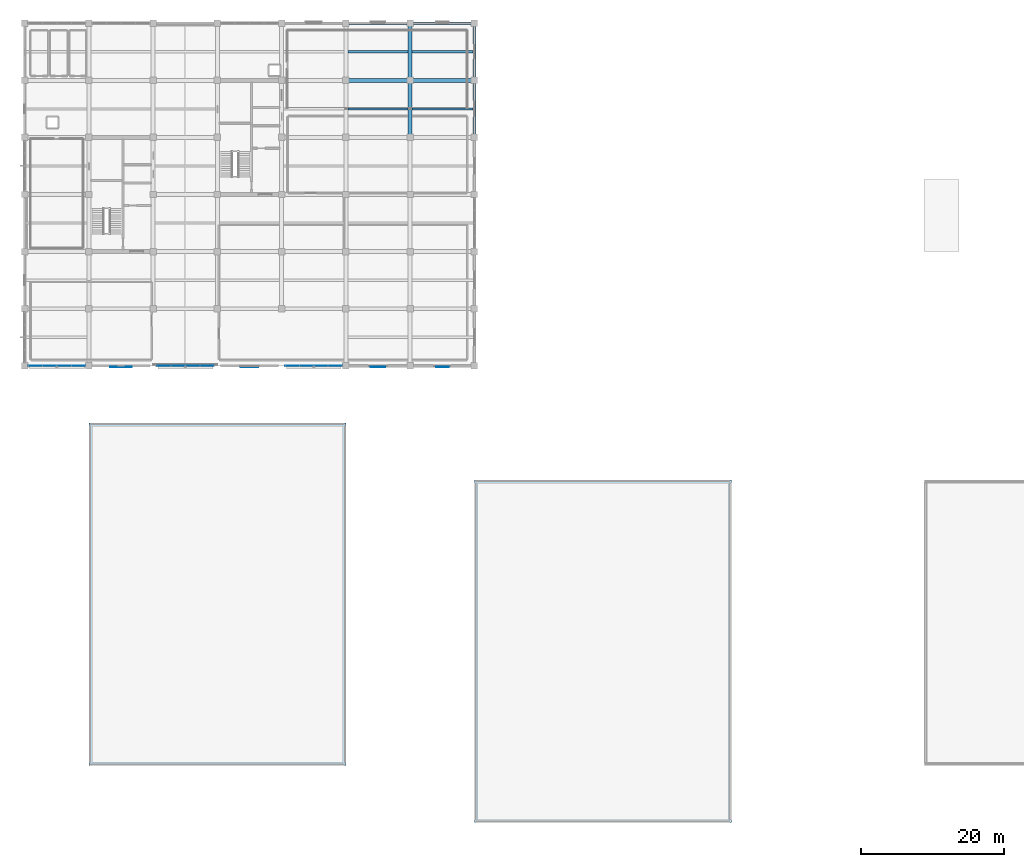
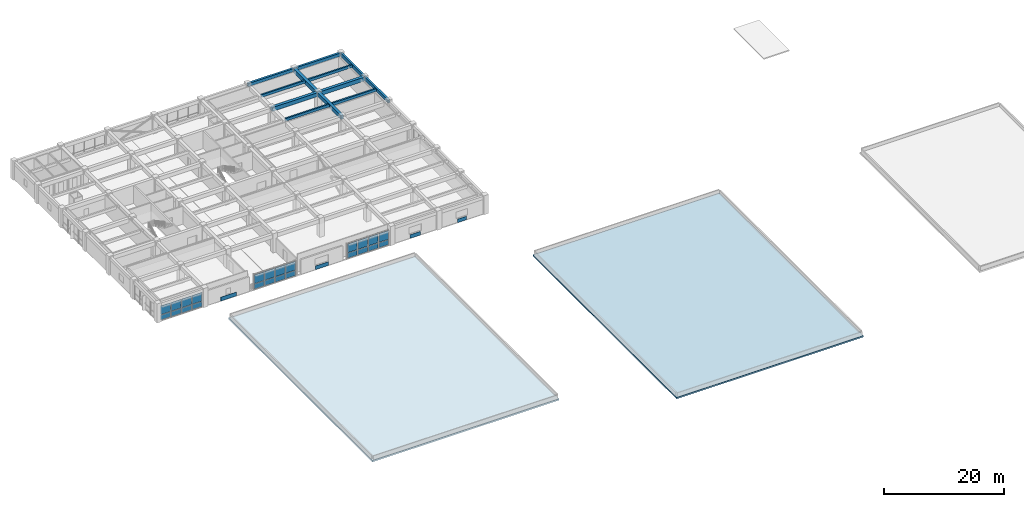
# One storey, part 11 of 23: 28 plates, 12 beams, 2 slabs, 3 elements without a shape of their own.
"""IFC4 building model written with IfcOpenShell, lengths in metres."""

from ifc_helpers import new_model, si_unit, direction, frame, frame_2d, origin, origin_2d, place, context, subcontext, project, spatial, polyline, rectangle, outline, extrude, material, layer, layer_set, material_profile, profile_set, type_object, element, aggregate, save


model = new_model("IFC4")

# Units and contexts
model_context = context("Model", 3, precision=1e-05, world=origin(), true_north=direction((0.0, 1.0)))
body_context = subcontext(model_context, "Body", "Model", "MODEL_VIEW")
ifc_project = project(units=[si_unit("LENGTHUNIT", "METRE"), si_unit("AREAUNIT", "SQUARE_METRE"), si_unit("VOLUMEUNIT", "CUBIC_METRE"), si_unit("PLANEANGLEUNIT", "RADIAN"), si_unit("MASSUNIT", "GRAM", prefix="KILO")], contexts=[model_context])

# Site, building, storey
site_placement = place(None, origin())
site = spatial("IfcSite", under=ifc_project, at=site_placement, CompositionType="ELEMENT")
building_placement = place(site_placement, origin())
building = spatial("IfcBuilding", under=site, at=building_placement, Name="Zaverband Oceanarium and Marine Research Institute", CompositionType="ELEMENT")
storey_placement = place(building_placement, frame((0.0, 0.0, 21.89990234375)))
storey = spatial("IfcBuildingStorey", under=building, at=storey_placement, Name="L05", CompositionType="ELEMENT", Elevation=21.89990234375)

# Beams
ifc_material_1 = material(Name="Concrete C40/50", Category="concrete")
ifc_material_profile_1 = material_profile(ifc_material_1, rectangle(XDim=0.550048828125, YDim=0.800048828125, at=origin_2d()), Name="RC550x800")
ifc_profile_set_1 = profile_set([ifc_material_profile_1], Name="Concrete C40/50")
beam_type_1 = type_object("IfcBeamType", Name="BM-550x800", PredefinedType="BEAM", material=ifc_profile_set_1)
for number, where, z_axis, x_axis, name in (
    (1, (54.0, 104.0, 3.25), (1.0, 0.0, 0.0), (0.0, 1.0, 0.0), "Primary floor girder BM-550x800"),
    (2, (63.0, 104.0, 3.25), (1.0, 0.0, 0.0), (0.0, 1.0, 0.0), "Primary floor girder BM-550x800"),
):
    element("IfcBeam", number, at=place(storey_placement, frame(where, z_axis=z_axis, x_axis=x_axis)), inside=storey, type_object=beam_type_1, Name=name, PredefinedType="BEAM", context=body_context, shape_type="SweptSolid", body=[
        extrude(rectangle(XDim=0.550048828125, YDim=0.800048828125, at=origin_2d()), origin(), (0.0, 0.0, 1.0), 9.0),
    ])
for number, where, z_axis, x_axis, name in (
    (3, (63.0, 96.0, 3.25), (0.0, 1.0, 0.0), (-1.0, 0.0, 0.0), "Primary floor girder BM-550x800"),
    (4, (63.0, 104.0, 3.25), (0.0, 1.0, 0.0), (-1.0, 0.0, 0.0), "Primary floor girder BM-550x800"),
):
    element("IfcBeam", number, at=place(storey_placement, frame(where, z_axis=z_axis, x_axis=x_axis)), inside=storey, type_object=beam_type_1, Name=name, PredefinedType="BEAM", context=body_context, shape_type="SweptSolid", body=[
        extrude(rectangle(XDim=0.550048828125, YDim=0.800048828125, at=origin_2d()), origin(), (0.0, 0.0, 1.0), 8.0),
    ])
ifc_material_profile_2 = material_profile(ifc_material_1, rectangle(XDim=0.300048828125, YDim=0.550048828125, at=origin_2d()), Name="RC300x550")
ifc_profile_set_2 = profile_set([ifc_material_profile_2], Name="Concrete C40/50")
beam_type_2 = type_object("IfcBeamType", Name="JST-300x550", PredefinedType="JOIST", material=ifc_profile_set_2)
for number, where, z_axis, x_axis, name in (
    (5, (54.27490234375, 100.0, 3.375), (1.0, 0.0, 0.0), (0.0, 1.0, 0.0), "Secondary floor joist JST-300x550"),
    (6, (54.27490234375, 108.0, 3.375), (1.0, 0.0, 0.0), (0.0, 1.0, 0.0), "Secondary floor joist JST-300x550"),
):
    element("IfcBeam", number, at=place(storey_placement, frame(where, z_axis=z_axis, x_axis=x_axis)), inside=storey, type_object=beam_type_2, Name=name, PredefinedType="JOIST", context=body_context, shape_type="SweptSolid", body=[
        extrude(rectangle(XDim=0.300048828125, YDim=0.550048828125, at=origin_2d()), origin(), (0.0, 0.0, 1.0), 8.4501953125),
    ])
for number, where, z_axis, x_axis, name in (
    (7, (63.27490234375, 100.0, 3.375), (1.0, 0.0, 0.0), (0.0, 1.0, 0.0), "Secondary floor joist JST-300x550"),
    (8, (63.27490234375, 108.0, 3.375), (1.0, 0.0, 0.0), (0.0, 1.0, 0.0), "Secondary floor joist JST-300x550"),
):
    element("IfcBeam", number, at=place(storey_placement, frame(where, z_axis=z_axis, x_axis=x_axis)), inside=storey, type_object=beam_type_2, Name=name, PredefinedType="JOIST", context=body_context, shape_type="SweptSolid", body=[
        extrude(rectangle(XDim=0.300048828125, YDim=0.550048828125, at=origin_2d()), origin(), (0.0, 0.0, 1.0), 8.525146484375),
    ])
ifc_material_profile_3 = material_profile(ifc_material_1, rectangle(XDim=0.39990234375, YDim=0.64990234375, at=origin_2d()), Name="RC400x650")
ifc_profile_set_3 = profile_set([ifc_material_profile_3], Name="Concrete C40/50")
beam_type_3 = type_object("IfcBeamType", Name="SPN-400x650", PredefinedType="SPANDREL", material=ifc_profile_set_3)
for number, where, z_axis, x_axis, name in (
    (9, (54.0, 112.0, 3.3251953125), (1.0, 0.0, 0.0), (0.0, 1.0, 0.0), "Perimeter spandrel beam SPN-400x650"),
    (10, (63.0, 112.0, 3.3251953125), (1.0, 0.0, 0.0), (0.0, 1.0, 0.0), "Perimeter spandrel beam SPN-400x650"),
):
    element("IfcBeam", number, at=place(storey_placement, frame(where, z_axis=z_axis, x_axis=x_axis)), inside=storey, type_object=beam_type_3, Name=name, PredefinedType="SPANDREL", context=body_context, shape_type="SweptSolid", body=[
        extrude(rectangle(XDim=0.39990234375, YDim=0.64990234375, at=origin_2d()), origin(), (0.0, 0.0, 1.0), 9.0),
    ])
for number, where, z_axis, x_axis, name in (
    (11, (72.0, 96.0, 3.3251953125), (0.0, 1.0, 0.0), (-1.0, 0.0, 0.0), "Perimeter spandrel beam SPN-400x650"),
    (12, (72.0, 104.0, 3.3251953125), (0.0, 1.0, 0.0), (-1.0, 0.0, 0.0), "Perimeter spandrel beam SPN-400x650"),
):
    element("IfcBeam", number, at=place(storey_placement, frame(where, z_axis=z_axis, x_axis=x_axis)), inside=storey, type_object=beam_type_3, Name=name, PredefinedType="SPANDREL", context=body_context, shape_type="SweptSolid", body=[
        extrude(rectangle(XDim=0.39990234375, YDim=0.64990234375, at=origin_2d()), origin(), (0.0, 0.0, 1.0), 8.0),
    ])

# Curtain wall, plates
ifc_material_2 = material(Name="Thermally broken anodized aluminium and solar-control glass", Category="aluminium")
curtain_wall_type = type_object("IfcCurtainWallType", Name="CW-UNIT-1800", PredefinedType="NOTDEFINED", material=ifc_material_2)
curtain_wall_1_placement = place(storey_placement, origin())
curtain_wall_1 = element("IfcCurtainWall", 13, at=curtain_wall_1_placement, inside=storey, type_object=curtain_wall_type, Name="Unitised glazed curtain wall CW-067", PredefinedType="NOTDEFINED")
ifc_material_3 = material(Name="Low-E double-glazed solar-control glass", Category="glass")
ifc_layer_1 = layer(ifc_material_3, 0.033935546875, Name="Low-E double-glazed solar-control glass")
ifc_layer_set_1 = layer_set([ifc_layer_1], Name="Low-E double-glazed solar-control glass")
plate_type_1 = type_object("IfcPlateType", Name="CWP-1820x1043", PredefinedType="CURTAIN_PANEL", material=ifc_layer_set_1)
plate_1_placement = place(storey_placement, frame((9.534912109375, 64.0, 0.050048828125), z_axis=(0.0, 0.0, 1.0), x_axis=(1.0, 0.0, 0.0)))
plate_1 = element("IfcPlate", 14, at=plate_1_placement, type_object=plate_type_1, Name="Glazed curtain wall panel CWP-1820x1043", PredefinedType="CURTAIN_PANEL", context=body_context, shape_type="SweptSolid", body=[
    extrude(rectangle(XDim=1.862548828125, YDim=0.033935546875, at=frame_2d((0.93115234375, 0.0))), origin(), (0.0, 0.0, 1.0), 1.04296875),
])
plate_2_placement = place(storey_placement, frame((11.5576171875, 64.0, 0.050048828125), z_axis=(0.0, 0.0, 1.0), x_axis=(1.0, 0.0, 0.0)))
plate_2 = element("IfcPlate", 15, at=plate_2_placement, type_object=plate_type_1, Name="Glazed curtain wall panel CWP-1820x1043", PredefinedType="CURTAIN_PANEL", context=body_context, shape_type="SweptSolid", body=[
    extrude(rectangle(XDim=1.8623046875, YDim=0.033935546875, at=frame_2d((0.93115234375, 0.0))), origin(), (0.0, 0.0, 1.0), 1.04296875),
])
plate_3_placement = place(storey_placement, frame((13.580078125, 64.0, 0.050048828125), z_axis=(0.0, 0.0, 1.0), x_axis=(1.0, 0.0, 0.0)))
plate_3 = element("IfcPlate", 16, at=plate_3_placement, type_object=plate_type_1, Name="Glazed curtain wall panel CWP-1820x1043", PredefinedType="CURTAIN_PANEL", context=body_context, shape_type="SweptSolid", body=[
    extrude(rectangle(XDim=1.8623046875, YDim=0.033935546875, at=frame_2d((0.93115234375, 0.0))), origin(), (0.0, 0.0, 1.0), 1.04296875),
])
plate_4_placement = place(storey_placement, frame((15.6025390625, 64.0, 0.050048828125), z_axis=(0.0, 0.0, 1.0), x_axis=(1.0, 0.0, 0.0)))
plate_4 = element("IfcPlate", 17, at=plate_4_placement, type_object=plate_type_1, Name="Glazed curtain wall panel CWP-1820x1043", PredefinedType="CURTAIN_PANEL", context=body_context, shape_type="SweptSolid", body=[
    extrude(rectangle(XDim=1.862548828125, YDim=0.033935546875, at=frame_2d((0.93115234375, 0.0))), origin(), (0.0, 0.0, 1.0), 1.04296875),
])

curtain_wall_2_placement = place(storey_placement, origin())
curtain_wall_2 = element("IfcCurtainWall", 18, at=curtain_wall_2_placement, inside=storey, type_object=curtain_wall_type, Name="Unitised glazed curtain wall CW-068", PredefinedType="NOTDEFINED")
plate_5_placement = place(storey_placement, frame((27.534912109375, 64.0, 0.050048828125), z_axis=(0.0, 0.0, 1.0), x_axis=(1.0, 0.0, 0.0)))
plate_5 = element("IfcPlate", 19, at=plate_5_placement, type_object=plate_type_1, Name="Glazed curtain wall panel CWP-1820x1043", PredefinedType="CURTAIN_PANEL", context=body_context, shape_type="SweptSolid", body=[
    extrude(rectangle(XDim=1.862548828125, YDim=0.033935546875, at=frame_2d((0.93115234375, 0.0))), origin(), (0.0, 0.0, 1.0), 1.04296875),
])
plate_6_placement = place(storey_placement, frame((29.5576171875, 64.0, 0.050048828125), z_axis=(0.0, 0.0, 1.0), x_axis=(1.0, 0.0, 0.0)))
plate_6 = element("IfcPlate", 20, at=plate_6_placement, type_object=plate_type_1, Name="Glazed curtain wall panel CWP-1820x1043", PredefinedType="CURTAIN_PANEL", context=body_context, shape_type="SweptSolid", body=[
    extrude(rectangle(XDim=1.8623046875, YDim=0.033935546875, at=frame_2d((0.93115234375, 0.0))), origin(), (0.0, 0.0, 1.0), 1.04296875),
])
plate_7_placement = place(storey_placement, frame((31.580078125, 64.0, 0.050048828125), z_axis=(0.0, 0.0, 1.0), x_axis=(1.0, 0.0, 0.0)))
plate_7 = element("IfcPlate", 21, at=plate_7_placement, type_object=plate_type_1, Name="Glazed curtain wall panel CWP-1820x1043", PredefinedType="CURTAIN_PANEL", context=body_context, shape_type="SweptSolid", body=[
    extrude(rectangle(XDim=1.8623046875, YDim=0.033935546875, at=frame_2d((0.93115234375, 0.0))), origin(), (0.0, 0.0, 1.0), 1.04296875),
])
plate_8_placement = place(storey_placement, frame((33.6025390625, 64.0, 0.050048828125), z_axis=(0.0, 0.0, 1.0), x_axis=(1.0, 0.0, 0.0)))
plate_8 = element("IfcPlate", 22, at=plate_8_placement, type_object=plate_type_1, Name="Glazed curtain wall panel CWP-1820x1043", PredefinedType="CURTAIN_PANEL", context=body_context, shape_type="SweptSolid", body=[
    extrude(rectangle(XDim=1.862548828125, YDim=0.033935546875, at=frame_2d((0.93115234375, 0.0))), origin(), (0.0, 0.0, 1.0), 1.04296875),
])

curtain_wall_3_placement = place(storey_placement, origin())
curtain_wall_3 = element("IfcCurtainWall", 23, at=curtain_wall_3_placement, inside=storey, type_object=curtain_wall_type, Name="Unitised glazed curtain wall CW-069", PredefinedType="NOTDEFINED")
plate_9_placement = place(storey_placement, frame((45.534912109375, 64.0, 0.050048828125), z_axis=(0.0, 0.0, 1.0), x_axis=(1.0, 0.0, 0.0)))
plate_9 = element("IfcPlate", 24, at=plate_9_placement, type_object=plate_type_1, Name="Glazed curtain wall panel CWP-1820x1043", PredefinedType="CURTAIN_PANEL", context=body_context, shape_type="SweptSolid", body=[
    extrude(rectangle(XDim=1.862548828125, YDim=0.033935546875, at=frame_2d((0.93115234375, 0.0))), origin(), (0.0, 0.0, 1.0), 1.04296875),
])
plate_10_placement = place(storey_placement, frame((47.5576171875, 64.0, 0.050048828125), z_axis=(0.0, 0.0, 1.0), x_axis=(1.0, 0.0, 0.0)))
plate_10 = element("IfcPlate", 25, at=plate_10_placement, type_object=plate_type_1, Name="Glazed curtain wall panel CWP-1820x1043", PredefinedType="CURTAIN_PANEL", context=body_context, shape_type="SweptSolid", body=[
    extrude(rectangle(XDim=1.8623046875, YDim=0.033935546875, at=frame_2d((0.93115234375, 0.0))), origin(), (0.0, 0.0, 1.0), 1.04296875),
])
plate_11_placement = place(storey_placement, frame((49.580078125, 64.0, 0.050048828125), z_axis=(0.0, 0.0, 1.0), x_axis=(1.0, 0.0, 0.0)))
plate_11 = element("IfcPlate", 26, at=plate_11_placement, type_object=plate_type_1, Name="Glazed curtain wall panel CWP-1820x1043", PredefinedType="CURTAIN_PANEL", context=body_context, shape_type="SweptSolid", body=[
    extrude(rectangle(XDim=1.8623046875, YDim=0.033935546875, at=frame_2d((0.93115234375, 0.0))), origin(), (0.0, 0.0, 1.0), 1.04296875),
])
plate_12_placement = place(storey_placement, frame((51.6025390625, 64.0, 0.050048828125), z_axis=(0.0, 0.0, 1.0), x_axis=(1.0, 0.0, 0.0)))
plate_12 = element("IfcPlate", 27, at=plate_12_placement, type_object=plate_type_1, Name="Glazed curtain wall panel CWP-1820x1043", PredefinedType="CURTAIN_PANEL", context=body_context, shape_type="SweptSolid", body=[
    extrude(rectangle(XDim=1.862548828125, YDim=0.033935546875, at=frame_2d((0.93115234375, 0.0))), origin(), (0.0, 0.0, 1.0), 1.04296875),
])

# Plate
ifc_layer_2 = layer(ifc_material_3, 0.035888671875, Name="Low-E double-glazed solar-control glass")
ifc_layer_set_2 = layer_set([ifc_layer_2], Name="Low-E double-glazed solar-control glass")
plate_type_2 = type_object("IfcPlateType", Name="CWP-1820x1777", PredefinedType="CURTAIN_PANEL", material=ifc_layer_set_2)
plate_13_placement = place(storey_placement, frame((9.534912109375, 64.0, 1.1630859375), z_axis=(0.0, 0.0, 1.0), x_axis=(1.0, 0.0, 0.0)))
plate_13 = element("IfcPlate", 28, at=plate_13_placement, type_object=plate_type_2, Name="Glazed curtain wall panel CWP-1820x1777", PredefinedType="CURTAIN_PANEL", context=body_context, shape_type="SweptSolid", body=[
    extrude(rectangle(XDim=1.862548828125, YDim=0.035888671875, at=frame_2d((0.93115234375, 0.0))), origin(), (0.0, 0.0, 1.0), 1.777099609375),
])

plate_14_placement = place(storey_placement, frame((11.5576171875, 64.0, 1.1630859375), z_axis=(0.0, 0.0, 1.0), x_axis=(1.0, 0.0, 0.0)))
plate_14 = element("IfcPlate", 29, at=plate_14_placement, type_object=plate_type_2, Name="Glazed curtain wall panel CWP-1820x1777", PredefinedType="CURTAIN_PANEL", context=body_context, shape_type="SweptSolid", body=[
    extrude(rectangle(XDim=1.8623046875, YDim=0.035888671875, at=frame_2d((0.93115234375, 0.0))), origin(), (0.0, 0.0, 1.0), 1.777099609375),
])

plate_15_placement = place(storey_placement, frame((13.580078125, 64.0, 1.1630859375), z_axis=(0.0, 0.0, 1.0), x_axis=(1.0, 0.0, 0.0)))
plate_15 = element("IfcPlate", 30, at=plate_15_placement, type_object=plate_type_2, Name="Glazed curtain wall panel CWP-1820x1777", PredefinedType="CURTAIN_PANEL", context=body_context, shape_type="SweptSolid", body=[
    extrude(rectangle(XDim=1.8623046875, YDim=0.035888671875, at=frame_2d((0.93115234375, 0.0))), origin(), (0.0, 0.0, 1.0), 1.777099609375),
])

plate_16_placement = place(storey_placement, frame((15.6025390625, 64.0, 1.1630859375), z_axis=(0.0, 0.0, 1.0), x_axis=(1.0, 0.0, 0.0)))
plate_16 = element("IfcPlate", 31, at=plate_16_placement, type_object=plate_type_2, Name="Glazed curtain wall panel CWP-1820x1777", PredefinedType="CURTAIN_PANEL", context=body_context, shape_type="SweptSolid", body=[
    extrude(rectangle(XDim=1.862548828125, YDim=0.035888671875, at=frame_2d((0.93115234375, 0.0))), origin(), (0.0, 0.0, 1.0), 1.777099609375),
])

aggregate(curtain_wall_1, [plate_1, plate_13, plate_2, plate_14, plate_3, plate_15, plate_4, plate_16])

plate_17_placement = place(storey_placement, frame((27.534912109375, 64.0, 1.1630859375), z_axis=(0.0, 0.0, 1.0), x_axis=(1.0, 0.0, 0.0)))
plate_17 = element("IfcPlate", 32, at=plate_17_placement, type_object=plate_type_2, Name="Glazed curtain wall panel CWP-1820x1777", PredefinedType="CURTAIN_PANEL", context=body_context, shape_type="SweptSolid", body=[
    extrude(rectangle(XDim=1.862548828125, YDim=0.035888671875, at=frame_2d((0.93115234375, 0.0))), origin(), (0.0, 0.0, 1.0), 1.777099609375),
])

plate_18_placement = place(storey_placement, frame((29.5576171875, 64.0, 1.1630859375), z_axis=(0.0, 0.0, 1.0), x_axis=(1.0, 0.0, 0.0)))
plate_18 = element("IfcPlate", 33, at=plate_18_placement, type_object=plate_type_2, Name="Glazed curtain wall panel CWP-1820x1777", PredefinedType="CURTAIN_PANEL", context=body_context, shape_type="SweptSolid", body=[
    extrude(rectangle(XDim=1.8623046875, YDim=0.035888671875, at=frame_2d((0.93115234375, 0.0))), origin(), (0.0, 0.0, 1.0), 1.777099609375),
])

plate_19_placement = place(storey_placement, frame((31.580078125, 64.0, 1.1630859375), z_axis=(0.0, 0.0, 1.0), x_axis=(1.0, 0.0, 0.0)))
plate_19 = element("IfcPlate", 34, at=plate_19_placement, type_object=plate_type_2, Name="Glazed curtain wall panel CWP-1820x1777", PredefinedType="CURTAIN_PANEL", context=body_context, shape_type="SweptSolid", body=[
    extrude(rectangle(XDim=1.8623046875, YDim=0.035888671875, at=frame_2d((0.93115234375, 0.0))), origin(), (0.0, 0.0, 1.0), 1.777099609375),
])

plate_20_placement = place(storey_placement, frame((33.6025390625, 64.0, 1.1630859375), z_axis=(0.0, 0.0, 1.0), x_axis=(1.0, 0.0, 0.0)))
plate_20 = element("IfcPlate", 35, at=plate_20_placement, type_object=plate_type_2, Name="Glazed curtain wall panel CWP-1820x1777", PredefinedType="CURTAIN_PANEL", context=body_context, shape_type="SweptSolid", body=[
    extrude(rectangle(XDim=1.862548828125, YDim=0.035888671875, at=frame_2d((0.93115234375, 0.0))), origin(), (0.0, 0.0, 1.0), 1.777099609375),
])

aggregate(curtain_wall_2, [plate_5, plate_17, plate_6, plate_18, plate_7, plate_19, plate_8, plate_20])

plate_21_placement = place(storey_placement, frame((45.534912109375, 64.0, 1.1630859375), z_axis=(0.0, 0.0, 1.0), x_axis=(1.0, 0.0, 0.0)))
plate_21 = element("IfcPlate", 36, at=plate_21_placement, type_object=plate_type_2, Name="Glazed curtain wall panel CWP-1820x1777", PredefinedType="CURTAIN_PANEL", context=body_context, shape_type="SweptSolid", body=[
    extrude(rectangle(XDim=1.862548828125, YDim=0.035888671875, at=frame_2d((0.93115234375, 0.0))), origin(), (0.0, 0.0, 1.0), 1.777099609375),
])

plate_22_placement = place(storey_placement, frame((47.5576171875, 64.0, 1.1630859375), z_axis=(0.0, 0.0, 1.0), x_axis=(1.0, 0.0, 0.0)))
plate_22 = element("IfcPlate", 37, at=plate_22_placement, type_object=plate_type_2, Name="Glazed curtain wall panel CWP-1820x1777", PredefinedType="CURTAIN_PANEL", context=body_context, shape_type="SweptSolid", body=[
    extrude(rectangle(XDim=1.8623046875, YDim=0.035888671875, at=frame_2d((0.93115234375, 0.0))), origin(), (0.0, 0.0, 1.0), 1.777099609375),
])

plate_23_placement = place(storey_placement, frame((49.580078125, 64.0, 1.1630859375), z_axis=(0.0, 0.0, 1.0), x_axis=(1.0, 0.0, 0.0)))
plate_23 = element("IfcPlate", 38, at=plate_23_placement, type_object=plate_type_2, Name="Glazed curtain wall panel CWP-1820x1777", PredefinedType="CURTAIN_PANEL", context=body_context, shape_type="SweptSolid", body=[
    extrude(rectangle(XDim=1.8623046875, YDim=0.035888671875, at=frame_2d((0.93115234375, 0.0))), origin(), (0.0, 0.0, 1.0), 1.777099609375),
])

plate_24_placement = place(storey_placement, frame((51.6025390625, 64.0, 1.1630859375), z_axis=(0.0, 0.0, 1.0), x_axis=(1.0, 0.0, 0.0)))
plate_24 = element("IfcPlate", 39, at=plate_24_placement, type_object=plate_type_2, Name="Glazed curtain wall panel CWP-1820x1777", PredefinedType="CURTAIN_PANEL", context=body_context, shape_type="SweptSolid", body=[
    extrude(rectangle(XDim=1.862548828125, YDim=0.035888671875, at=frame_2d((0.93115234375, 0.0))), origin(), (0.0, 0.0, 1.0), 1.777099609375),
])

aggregate(curtain_wall_3, [plate_9, plate_21, plate_10, plate_22, plate_11, plate_23, plate_12, plate_24])

# Plates
ifc_material_4 = material(Name="Concrete C40/50 precast ochre", Category="concrete")
ifc_layer_3 = layer(ifc_material_4, 0.070068359375, Name="Concrete C40/50 precast ochre")
ifc_layer_set_3 = layer_set([ifc_layer_3], Name="Concrete C40/50 precast ochre")
plate_type_3 = type_object("IfcPlateType", Name="FRP-1750x700", PredefinedType="USERDEFINED", material=ifc_layer_set_3)
plate_25_placement = place(storey_placement, frame((66.625, 63.847412109375, 0.0), z_axis=(0.0, 0.0, 1.0), x_axis=(1.0, 0.0, 0.0)))
element("IfcPlate", 40, at=plate_25_placement, inside=storey, type_object=plate_type_3, Name="Geometric precast facade cladding panel FRP-1750x700", ObjectType="FLANGE_PLATE", PredefinedType="USERDEFINED", context=body_context, shape_type="SweptSolid", body=[
    extrude(rectangle(XDim=1.75, YDim=0.070068359375, at=frame_2d((0.875, 0.0))), origin(), (0.0, 0.0, 1.0), 0.7001953125),
])
ifc_layer_4 = layer(ifc_material_4, 0.070068359375, Name="Concrete C40/50 precast ochre")
ifc_layer_set_4 = layer_set([ifc_layer_4], Name="Concrete C40/50 precast ochre")
plate_type_4 = type_object("IfcPlateType", Name="FRP-2000x720", PredefinedType="USERDEFINED", material=ifc_layer_set_4)
plate_26_placement = place(storey_placement, frame((57.5, 63.8349609375, 0.0), z_axis=(0.0, 0.0, 1.0), x_axis=(1.0, 0.0, 0.0)))
element("IfcPlate", 41, at=plate_26_placement, inside=storey, type_object=plate_type_4, Name="Geometric precast facade cladding panel FRP-2000x720", ObjectType="FLANGE_PLATE", PredefinedType="USERDEFINED", context=body_context, shape_type="SweptSolid", body=[
    extrude(rectangle(XDim=2.0, YDim=0.070068359375, at=frame_2d((1.0, 0.0))), origin(), (0.0, 0.0, 1.0), 0.72021484375),
])
ifc_layer_5 = layer(ifc_material_4, 0.074951171875, Name="Concrete C40/50 precast ochre")
ifc_layer_set_5 = layer_set([ifc_layer_5], Name="Concrete C40/50 precast ochre")
plate_type_5 = type_object("IfcPlateType", Name="FRP-2500x750", PredefinedType="USERDEFINED", material=ifc_layer_set_5)
plate_27_placement = place(storey_placement, frame((39.25, 63.83251953125, 0.0), z_axis=(0.0, 0.0, 1.0), x_axis=(1.0, 0.0, 0.0)))
element("IfcPlate", 42, at=plate_27_placement, inside=storey, type_object=plate_type_5, Name="Geometric precast facade cladding panel FRP-2500x750", ObjectType="FLANGE_PLATE", PredefinedType="USERDEFINED", context=body_context, shape_type="SweptSolid", body=[
    extrude(rectangle(XDim=2.5, YDim=0.074951171875, at=frame_2d((1.25, 0.0))), origin(), (0.0, 0.0, 1.0), 0.75),
])
ifc_layer_6 = layer(ifc_material_4, 0.080078125, Name="Concrete C40/50 precast ochre")
ifc_layer_set_6 = layer_set([ifc_layer_6], Name="Concrete C40/50 precast ochre")
plate_type_6 = type_object("IfcPlateType", Name="FRP-3000x780", PredefinedType="USERDEFINED", material=ifc_layer_set_6)
plate_28_placement = place(storey_placement, frame((21.0, 63.830078125, 0.0), z_axis=(0.0, 0.0, 1.0), x_axis=(1.0, 0.0, 0.0)))
element("IfcPlate", 43, at=plate_28_placement, inside=storey, type_object=plate_type_6, Name="Geometric precast facade cladding panel FRP-3000x780", ObjectType="FLANGE_PLATE", PredefinedType="USERDEFINED", context=body_context, shape_type="SweptSolid", body=[
    extrude(rectangle(XDim=3.0, YDim=0.080078125, at=frame_2d((1.5, 0.0))), origin(), (0.0, 0.0, 1.0), 0.780029296875),
])

# Slabs
ifc_layer_7 = layer(ifc_material_1, 0.300048828125, Name="Concrete C40/50")
ifc_layer_set_7 = layer_set([ifc_layer_7], Name="Concrete C40/50")
slab_type = type_object("IfcSlabType", Name="SLB-ROOF-300", PredefinedType="ROOF", material=ifc_layer_set_7)
slab_1_placement = place(storey_placement, frame((0.0, 0.0, 2.10009765625)))
element("IfcSlab", 44, at=slab_1_placement, inside=storey, type_object=slab_type, Name="Roof deck slab SLB-ROOF-300", PredefinedType="ROOF", context=body_context, shape_type="SweptSolid", body=[
    extrude(outline(polyline([(18.0, 8.0), (54.0, 8.0), (54.0, 56.0), (18.0, 56.0), (18.0, 8.0)])), origin(), (0.0, 0.0, 1.0), 0.300048828125),
])
slab_2_placement = place(storey_placement, frame((0.0, 0.0, 0.900146484375)))
element("IfcSlab", 45, at=slab_2_placement, inside=storey, type_object=slab_type, Name="Roof deck slab SLB-ROOF-300", PredefinedType="ROOF", context=body_context, shape_type="SweptSolid", body=[
    extrude(outline(polyline([(72.0, 0.0), (108.0, 0.0), (108.0, 48.0), (72.0, 48.0), (72.0, 0.0)])), origin(), (0.0, 0.0, 1.0), 0.300048828125),
])

save(model, "model.ifc")
